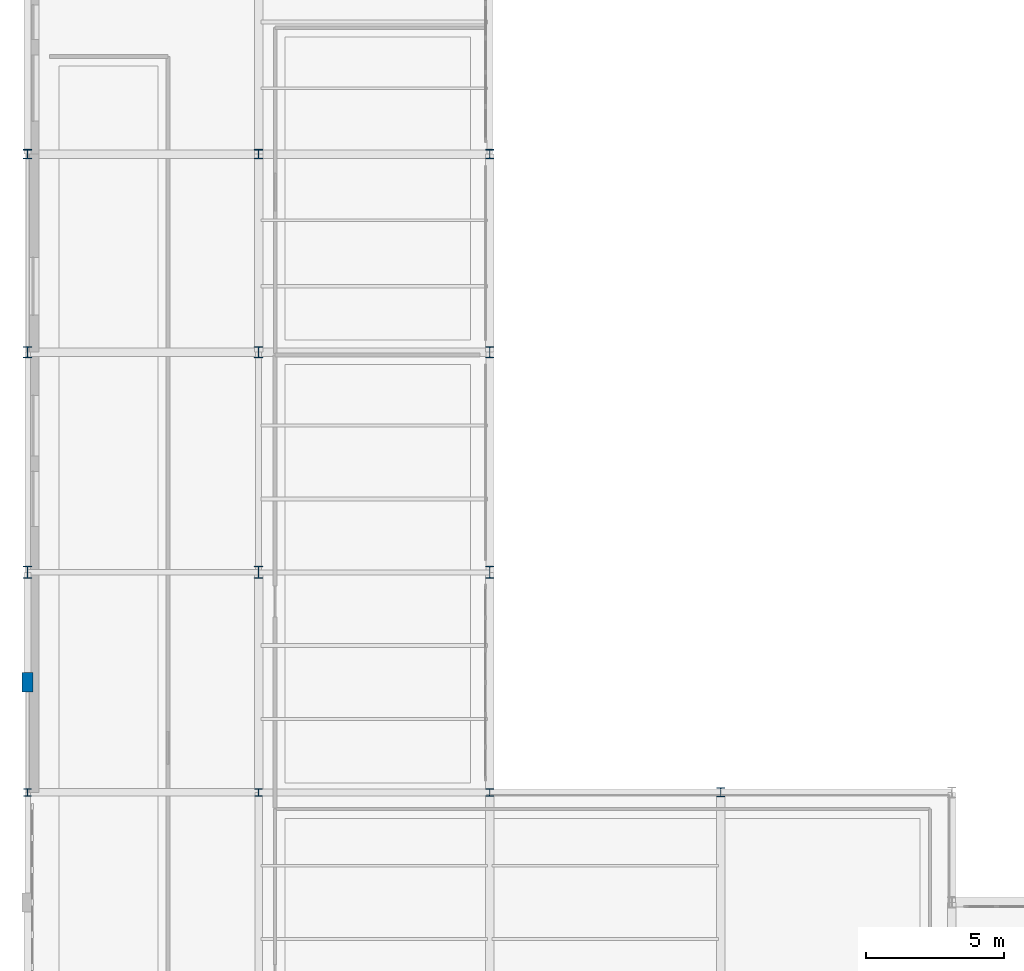
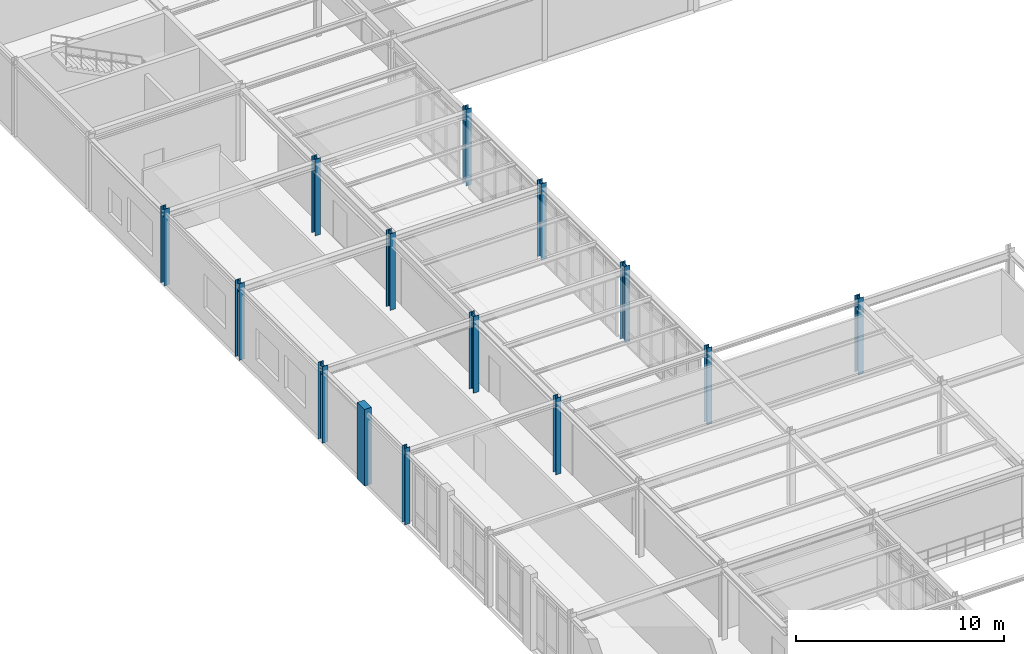
# One storey, part 14 of 106: 14 columns.
"""IFC4 building model written with IfcOpenShell, lengths in metres."""

from ifc_helpers import new_model, si_unit, derived_unit, direction, frame, origin, origin_2d, place, context, subcontext, project, spatial, rectangle, i_section, extrude, material, material_profile, profile_set, type_object, element, save


model = new_model("IFC4")

# Units and contexts
model_context = context("Model", 3, precision=1e-05, world=origin(), true_north=direction((0.0, 1.0)))
body_context = subcontext(model_context, "Body", "Model", "MODEL_VIEW")
ifc_project = project(units=[si_unit("LENGTHUNIT", "METRE"), si_unit("AREAUNIT", "SQUARE_METRE"), si_unit("VOLUMEUNIT", "CUBIC_METRE"), si_unit("PLANEANGLEUNIT", "RADIAN"), si_unit("MASSUNIT", "GRAM", prefix="KILO"), derived_unit("THERMALTRANSMITTANCEUNIT", [(si_unit("POWERUNIT", "WATT"), 1), (si_unit("AREAUNIT", "SQUARE_METRE"), -1), (si_unit("THERMODYNAMICTEMPERATUREUNIT", "KELVIN"), -1)])], contexts=[model_context])

# Site, building, storey
site_placement = place(None, origin())
site = spatial("IfcSite", under=ifc_project, at=site_placement, CompositionType="ELEMENT")
building_placement = place(site_placement, origin())
building = spatial("IfcBuilding", under=site, at=building_placement, Name="Yasenodar Specialist Clinic", CompositionType="ELEMENT")
storey_placement = place(building_placement, frame((0.0, 0.0, 4.5)))
storey = spatial("IfcBuildingStorey", under=building, at=storey_placement, Name="L01", CompositionType="ELEMENT", Elevation=4.5)

# Columns
ifc_material_1 = material(Name="Steel S355", Category="steel")
ifc_material_profile_1 = material_profile(ifc_material_1, i_section(OverallWidth=0.300048828125, OverallDepth=0.330078125, WebThickness=0.009521484375, FlangeThickness=0.0166015625, FilletRadius=0.027099609375, at=origin_2d()), Name="HEA 340")
ifc_profile_set_1 = profile_set([ifc_material_profile_1], Name="Steel S355")
column_type_1 = type_object("IfcColumnType", Name="COL-ST-HEA340", PredefinedType="COLUMN", material=ifc_profile_set_1)
column_1_placement = place(storey_placement, frame((25.199951171875, 66.800048828125, 0.0), z_axis=(0.0, 0.0, 1.0), x_axis=(1.0, 0.0, 0.0)))
element("IfcColumn", 1, at=column_1_placement, inside=storey, type_object=column_type_1, Name="L01 Column V4-054", PredefinedType="COLUMN", context=body_context, shape_type="SweptSolid", body=[
    extrude(i_section(OverallWidth=0.300048828125, OverallDepth=0.330078125, WebThickness=0.009521484375, FlangeThickness=0.0166015625, FilletRadius=0.027099609375, at=origin_2d()), origin(), (0.0, 0.0, 1.0), 4.5),
])
ifc_material_profile_2 = material_profile(ifc_material_1, i_section(OverallWidth=0.280029296875, OverallDepth=0.280029296875, WebThickness=0.010498046875, FlangeThickness=0.01806640625, FilletRadius=0.02392578125, at=origin_2d()), Name="HEB 280")
ifc_profile_set_2 = profile_set([ifc_material_profile_2], Name="Steel S355")
column_type_2 = type_object("IfcColumnType", Name="COL-ST-HEB280", PredefinedType="COLUMN", material=ifc_profile_set_2)
for number, where, z_axis, x_axis, name in (
    (2, (0.0, 66.800048828125, 0.0), (0.0, 0.0, 1.0), (1.0, 0.0, 0.0), "L01 Column V4-009"),
    (3, (8.39990234375, 66.800048828125, 0.0), (0.0, 0.0, 1.0), (1.0, 0.0, 0.0), "L01 Column V4-024"),
    (4, (16.800048828125, 66.800048828125, 0.0), (0.0, 0.0, 1.0), (1.0, 0.0, 0.0), "L01 Column V4-039"),
):
    element("IfcColumn", number, at=place(storey_placement, frame(where, z_axis=z_axis, x_axis=x_axis)), inside=storey, type_object=column_type_2, Name=name, PredefinedType="COLUMN", context=body_context, shape_type="SweptSolid", body=[
        extrude(i_section(OverallWidth=0.280029296875, OverallDepth=0.280029296875, WebThickness=0.010498046875, FlangeThickness=0.01806640625, FilletRadius=0.02392578125, at=origin_2d()), origin(), (0.0, 0.0, 1.0), 4.5),
    ])
ifc_material_profile_3 = material_profile(ifc_material_1, i_section(OverallWidth=0.300048828125, OverallDepth=0.340087890625, WebThickness=0.011962890625, FlangeThickness=0.021484375, FilletRadius=0.027099609375, at=origin_2d()), Name="HEB 340")
ifc_profile_set_3 = profile_set([ifc_material_profile_3], Name="Steel S355")
column_type_3 = type_object("IfcColumnType", Name="COL-ST-HEB340", PredefinedType="COLUMN", material=ifc_profile_set_3)
for number, where, z_axis, x_axis, name in (
    (5, (0.0, 90.0, 0.0), (0.0, 0.0, 1.0), (1.0, 0.0, 0.0), "L01 Column V4-012"),
    (6, (8.39990234375, 90.0, 0.0), (0.0, 0.0, 1.0), (1.0, 0.0, 0.0), "L01 Column V4-027"),
    (7, (16.800048828125, 90.0, 0.0), (0.0, 0.0, 1.0), (1.0, 0.0, 0.0), "L01 Column V4-042"),
):
    element("IfcColumn", number, at=place(storey_placement, frame(where, z_axis=z_axis, x_axis=x_axis)), inside=storey, type_object=column_type_3, Name=name, PredefinedType="COLUMN", context=body_context, shape_type="SweptSolid", body=[
        extrude(i_section(OverallWidth=0.300048828125, OverallDepth=0.340087890625, WebThickness=0.011962890625, FlangeThickness=0.021484375, FilletRadius=0.027099609375, at=origin_2d()), origin(), (0.0, 0.0, 1.0), 4.5),
    ])
ifc_material_profile_4 = material_profile(ifc_material_1, i_section(OverallWidth=0.300048828125, OverallDepth=0.39990234375, WebThickness=0.013427734375, FlangeThickness=0.02392578125, FilletRadius=0.027099609375, at=origin_2d()), Name="HEB 400")
ifc_profile_set_4 = profile_set([ifc_material_profile_4], Name="Steel S355")
column_type_4 = type_object("IfcColumnType", Name="COL-ST-HEB400", PredefinedType="COLUMN", material=ifc_profile_set_4)
for number, where, z_axis, x_axis, name in (
    (8, (0.0, 82.800048828125, 0.0), (0.0, 0.0, 1.0), (1.0, 0.0, 0.0), "L01 Column V4-011"),
    (9, (8.39990234375, 82.800048828125, 0.0), (0.0, 0.0, 1.0), (1.0, 0.0, 0.0), "L01 Column V4-026"),
    (10, (16.800048828125, 82.800048828125, 0.0), (0.0, 0.0, 1.0), (1.0, 0.0, 0.0), "L01 Column V4-041"),
):
    element("IfcColumn", number, at=place(storey_placement, frame(where, z_axis=z_axis, x_axis=x_axis)), inside=storey, type_object=column_type_4, Name=name, PredefinedType="COLUMN", context=body_context, shape_type="SweptSolid", body=[
        extrude(i_section(OverallWidth=0.300048828125, OverallDepth=0.39990234375, WebThickness=0.013427734375, FlangeThickness=0.02392578125, FilletRadius=0.027099609375, at=origin_2d()), origin(), (0.0, 0.0, 1.0), 4.5),
    ])
ifc_material_profile_5 = material_profile(ifc_material_1, i_section(OverallWidth=0.300048828125, OverallDepth=0.449951171875, WebThickness=0.013916015625, FlangeThickness=0.02587890625, FilletRadius=0.027099609375, at=origin_2d()), Name="HEB 450")
ifc_profile_set_5 = profile_set([ifc_material_profile_5], Name="Steel S355")
column_type_5 = type_object("IfcColumnType", Name="COL-ST-HEB450", PredefinedType="COLUMN", material=ifc_profile_set_5)
for number, where, z_axis, x_axis, name in (
    (11, (0.0, 74.800048828125, 0.0), (0.0, 0.0, 1.0), (1.0, 0.0, 0.0), "L01 Column V4-010"),
    (12, (8.39990234375, 74.800048828125, 0.0), (0.0, 0.0, 1.0), (1.0, 0.0, 0.0), "L01 Column V4-025"),
    (13, (16.800048828125, 74.800048828125, 0.0), (0.0, 0.0, 1.0), (1.0, 0.0, 0.0), "L01 Column V4-040"),
):
    element("IfcColumn", number, at=place(storey_placement, frame(where, z_axis=z_axis, x_axis=x_axis)), inside=storey, type_object=column_type_5, Name=name, PredefinedType="COLUMN", context=body_context, shape_type="SweptSolid", body=[
        extrude(i_section(OverallWidth=0.300048828125, OverallDepth=0.449951171875, WebThickness=0.013916015625, FlangeThickness=0.02587890625, FilletRadius=0.027099609375, at=origin_2d()), origin(), (0.0, 0.0, 1.0), 4.5),
    ])
ifc_material_2 = material(Name="Concrete C35/45", Category="concrete")
ifc_material_profile_6 = material_profile(ifc_material_2, rectangle(XDim=0.39990234375, YDim=0.699951171875, at=origin_2d()), Name="RC 400x700")
ifc_profile_set_6 = profile_set([ifc_material_profile_6], Name="Concrete C35/45")
column_type_6 = type_object("IfcColumnType", Name="PIL-RC-400x700", PredefinedType="PILASTER", material=ifc_profile_set_6)
column_2_placement = place(storey_placement, frame((0.0, 70.800048828125, 0.0), z_axis=(0.0, 0.0, 1.0), x_axis=(1.0, 0.0, 0.0)))
element("IfcColumn", 14, at=column_2_placement, inside=storey, type_object=column_type_6, Name="L01 Arcade Pilaster 04", PredefinedType="PILASTER", context=body_context, shape_type="SweptSolid", body=[
    extrude(rectangle(XDim=0.39990234375, YDim=0.699951171875, at=origin_2d()), origin(), (0.0, 0.0, 1.0), 4.5),
])

save(model, "model.ifc")
